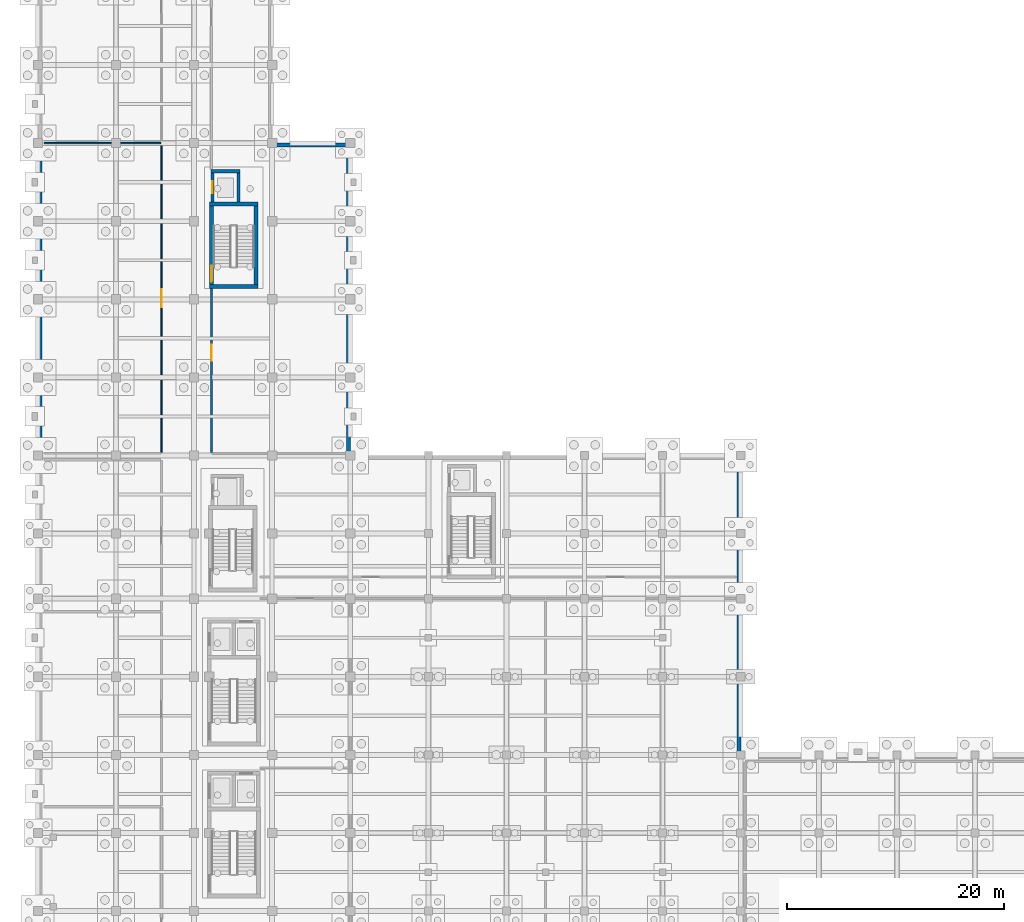
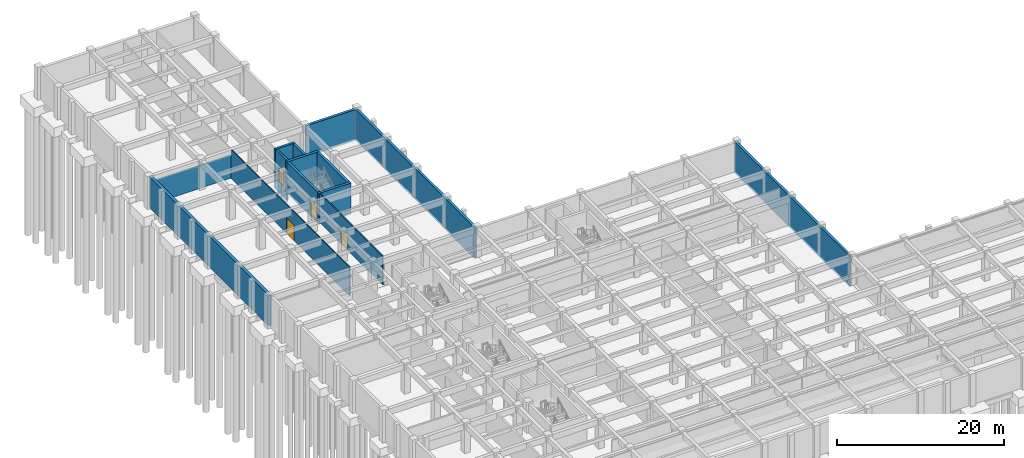
# One storey, part 18 of 28: 14 walls, 4 doors, 4 openings.
"""IFC4 building model written with IfcOpenShell, lengths in metres."""

from ifc_helpers import new_model, si_unit, direction, frame, frame_2d, origin, place, context, subcontext, project, spatial, rectangle, extrude, material, layer, layer_set, type_object, element, fill, save


model = new_model("IFC4")

# Units and contexts
model_context = context("Model", 3, precision=1e-05, world=origin(), true_north=direction((0.0, 1.0)))
body_context = subcontext(model_context, "Body", "Model", "MODEL_VIEW")
ifc_project = project(units=[si_unit("LENGTHUNIT", "METRE"), si_unit("AREAUNIT", "SQUARE_METRE"), si_unit("VOLUMEUNIT", "CUBIC_METRE"), si_unit("PLANEANGLEUNIT", "RADIAN"), si_unit("MASSUNIT", "GRAM", prefix="KILO")], contexts=[model_context])

# Site, building, storey
site_placement = place(None, origin())
site = spatial("IfcSite", under=ifc_project, at=site_placement, CompositionType="ELEMENT")
building_placement = place(site_placement, origin())
building = spatial("IfcBuilding", under=site, at=building_placement, Name="Alvorim Cloister Faculty of Sciences", CompositionType="ELEMENT")
storey_placement = place(building_placement, frame((0.0, 0.0, -4.5)))
storey = spatial("IfcBuildingStorey", under=building, at=storey_placement, Name="B01", CompositionType="ELEMENT", Elevation=-4.5)

# Wall, opening, door
ifc_material_1 = material(Name="Acoustic Gypsum Stud Partition", Category="gypsum")
ifc_layer_1 = layer(ifc_material_1, 0.1201171875)
ifc_layer_set_1 = layer_set([ifc_layer_1], Name="Acoustic Gypsum Stud Partition")
wall_type_1 = type_object("IfcWallType", Name="WL-PRT-120", PredefinedType="PARTITIONING", material=ifc_layer_set_1)
wall_1_placement = place(storey_placement, frame((11.39990234375, 56.679931640625, 0.0), z_axis=(0.0, 0.0, 1.0), x_axis=(0.0, 1.0, 0.0)))
wall_1 = element("IfcWall", 1, at=wall_1_placement, inside=storey, type_object=wall_type_1, Name="B01 Rare Science Compactus Archive Stack A Partition IWL-0448", PredefinedType="PARTITIONING", context=body_context, shape_type="SweptSolid", body=[
    extrude(rectangle(XDim=28.440185546875, YDim=0.1201171875, at=frame_2d((14.22021484375, 0.0))), origin(), (0.0, 0.0, 1.0), 4.22509765625),
])
opening_1_placement = place(wall_1_placement, frame((13.3701171875, 0.0, 0.0)))
opening_1 = element("IfcOpeningElement", 2, at=opening_1_placement, cuts=wall_1, Name="Opening D-B01-075", PredefinedType="OPENING", context=body_context, shape_type="SweptSolid", body=[
    extrude(rectangle(XDim=1.699951171875, YDim=2.280029296875, at=frame_2d((0.85009765625, 1.14013671875))), frame((0.0, 0.072021484375, 0.0), z_axis=(0.0, -1.0, 0.0), x_axis=(1.0, 0.0, 0.0)), (0.0, 0.0, 1.0), 0.14404296875),
])
ifc_material_2 = material(Name="Solid Acoustic Oak Timber", Category="wood")
door_type_1 = type_object("IfcDoorType", Name="DR-HALL-1700x2280", OperationType="NOTDEFINED", PredefinedType="DOOR", material=ifc_material_2)
door_1_placement = place(opening_1_placement, origin())
door_1 = element("IfcDoor", 3, at=door_1_placement, inside=storey, type_object=door_type_1, Name="Rare Science Compactus Archive Stack A Door D-B01-075", OperationType="DOUBLE_DOOR_SINGLE_SWING", OverallHeight=2.280029296875, OverallWidth=1.699951171875, PredefinedType="DOOR", context=body_context, shape_type="SweptSolid", body=[
    extrude(rectangle(XDim=1.699951171875, YDim=2.280029296875, at=frame_2d((0.85009765625, 1.14013671875))), frame((0.0, 0.02490234375, 0.0), z_axis=(0.0, -1.0, 0.0), x_axis=(1.0, 0.0, 0.0)), (0.0, 0.0, 1.0), 0.050048828125),
])
fill(opening_1, door_1)

# Wall
wall_2_placement = place(storey_placement, frame((0.580078125, 85.199951171875, 0.0), z_axis=(0.0, 0.0, 1.0), x_axis=(1.0, 0.0, 0.0)))
element("IfcWall", 4, at=wall_2_placement, inside=storey, type_object=wall_type_1, Name="B01 Rare Science Compactus Archive Stack A Partition IWL-0449", PredefinedType="PARTITIONING", context=body_context, shape_type="SweptSolid", body=[
    extrude(rectangle(XDim=10.739990234375, YDim=0.1201171875, at=frame_2d((5.3701171875, 0.0))), origin(), (0.0, 0.0, 1.0), 3.375),
])

# Wall, opening, door
ifc_material_3 = material(Name="Gypsum Fireboard Stud Partition", Category="gypsum")
ifc_layer_2 = layer(ifc_material_3, 0.14990234375)
ifc_layer_set_2 = layer_set([ifc_layer_2], Name="Gypsum Fireboard Stud Partition")
wall_type_2 = type_object("IfcWallType", Name="WL-PRT-150", PredefinedType="PARTITIONING", material=ifc_layer_set_2)
wall_3_placement = place(storey_placement, frame((16.0, 56.679931640625, 0.0), z_axis=(0.0, 0.0, 1.0), x_axis=(0.0, 1.0, 0.0)))
wall_3 = element("IfcWall", 5, at=wall_3_placement, inside=storey, type_object=wall_type_2, Name="B01 Digital Preservation and Microfilm Lab Partition IWL-0451", PredefinedType="PARTITIONING", context=body_context, shape_type="SweptSolid", body=[
    extrude(rectangle(XDim=15.10009765625, YDim=0.14990234375, at=frame_2d((7.550048828125, 0.0))), origin(), (0.0, 0.0, 1.0), 4.22509765625),
])
opening_2_placement = place(wall_3_placement, frame((8.445068359375, 0.0, 0.0)))
opening_2 = element("IfcOpeningElement", 6, at=opening_2_placement, cuts=wall_3, Name="Opening D-B01-077", PredefinedType="OPENING", context=body_context, shape_type="SweptSolid", body=[
    extrude(rectangle(XDim=1.5, YDim=2.199951171875, at=frame_2d((0.75, 1.10009765625))), frame((0.0, 0.0869140625, 0.0), z_axis=(0.0, -1.0, 0.0), x_axis=(1.0, 0.0, 0.0)), (0.0, 0.0, 1.0), 0.173828125),
])
ifc_material_4 = material(Name="Fire-Rated Laminate Timber", Category="wood")
door_type_2 = type_object("IfcDoorType", Name="DR-LAB-1500x2200", OperationType="NOTDEFINED", PredefinedType="DOOR", material=ifc_material_4)
door_2_placement = place(opening_2_placement, origin())
door_2 = element("IfcDoor", 7, at=door_2_placement, inside=storey, type_object=door_type_2, Name="Digital Preservation and Microfilm Lab Door D-B01-077", OperationType="DOUBLE_DOOR_SINGLE_SWING", OverallHeight=2.199951171875, OverallWidth=1.5, PredefinedType="DOOR", context=body_context, shape_type="SweptSolid", body=[
    extrude(rectangle(XDim=1.5, YDim=2.199951171875, at=frame_2d((0.75, 1.10009765625))), frame((0.0, 0.02490234375, 0.0), z_axis=(0.0, -1.0, 0.0), x_axis=(1.0, 0.0, 0.0)), (0.0, 0.0, 1.0), 0.050048828125),
])
fill(opening_2, door_2)

# Walls
ifc_material_5 = material(Name="Concrete C40", Category="concrete")
ifc_layer_3 = layer(ifc_material_5, 0.35009765625)
ifc_layer_set_3 = layer_set([ifc_layer_3], Name="Concrete C40")
wall_type_3 = type_object("IfcWallType", Name="WL-RET-350", PredefinedType="USERDEFINED", material=ifc_layer_set_3)
wall_4_placement = place(storey_placement, frame((21.60009765625, 85.02490234375, -0.300048828125), z_axis=(0.0, 0.0, 1.0), x_axis=(1.0, 0.0, 0.0)))
element("IfcWall", 8, at=wall_4_placement, inside=storey, type_object=wall_type_3, Name="B01 Perimeter Retaining Wall WL-RET-0012", ObjectType="RETAINING WALL", PredefinedType="USERDEFINED", context=body_context, shape_type="SweptSolid", body=[
    extrude(rectangle(XDim=7.199951171875, YDim=0.35009765625, at=frame_2d((3.60009765625, 0.0))), origin(), (0.0, 0.0, 1.0), 4.5400390625),
])
wall_5_placement = place(storey_placement, frame((28.625, 85.199951171875, -0.300048828125), z_axis=(0.0, 0.0, 1.0), x_axis=(0.0, -1.0, 0.0)))
element("IfcWall", 9, at=wall_5_placement, inside=storey, type_object=wall_type_3, Name="B01 Perimeter Retaining Wall WL-RET-0013", ObjectType="RETAINING WALL", PredefinedType="USERDEFINED", context=body_context, shape_type="SweptSolid", body=[
    extrude(rectangle(XDim=28.800048828125, YDim=0.35009765625, at=frame_2d((14.39990234375, 0.0))), origin(), (0.0, 0.0, 1.0), 4.5400390625),
])
wall_6_placement = place(storey_placement, frame((64.625, 56.39990234375, -0.300048828125), z_axis=(0.0, 0.0, 1.0), x_axis=(0.0, -1.0, 0.0)))
element("IfcWall", 10, at=wall_6_placement, inside=storey, type_object=wall_type_3, Name="B01 Perimeter Retaining Wall WL-RET-0015", ObjectType="RETAINING WALL", PredefinedType="USERDEFINED", context=body_context, shape_type="SweptSolid", body=[
    extrude(rectangle(XDim=27.599853515625, YDim=0.35009765625, at=frame_2d((13.7998046875, 0.0))), origin(), (0.0, 0.0, 1.0), 4.5400390625),
])
ifc_layer_4 = layer(ifc_material_5, 0.39990234375)
ifc_layer_set_4 = layer_set([ifc_layer_4], Name="Concrete C40")
wall_type_4 = type_object("IfcWallType", Name="WL-RET-400", PredefinedType="USERDEFINED", material=ifc_layer_set_4)
wall_7_placement = place(storey_placement, frame((0.199951171875, 56.39990234375, -0.300048828125), z_axis=(0.0, 0.0, 1.0), x_axis=(0.0, 1.0, 0.0)))
element("IfcWall", 11, at=wall_7_placement, inside=storey, type_object=wall_type_4, Name="B01 Perimeter Retaining Wall WL-RET-0008", ObjectType="RETAINING WALL", PredefinedType="USERDEFINED", context=body_context, shape_type="SweptSolid", body=[
    extrude(rectangle(XDim=28.800048828125, YDim=0.39990234375, at=frame_2d((14.39990234375, 0.0))), origin(), (0.0, 0.0, 1.0), 4.5400390625),
])
ifc_layer_5 = layer(ifc_material_5, 0.300048828125)
ifc_layer_set_5 = layer_set([ifc_layer_5], Name="Concrete C40")
wall_type_5 = type_object("IfcWallType", Name="WL-SHR-300", PredefinedType="SHEAR", material=ifc_layer_set_5)
wall_8_placement = place(storey_placement, frame((15.949951171875, 82.60009765625, -1.60009765625), z_axis=(0.0, 0.0, 1.0), x_axis=(1.0, 0.0, 0.0)))
element("IfcWall", 12, at=wall_8_placement, inside=storey, type_object=wall_type_5, Name="B01 Lift LP-05 Shaft Wall IWL-0362", PredefinedType="SHEAR", context=body_context, shape_type="SweptSolid", body=[
    extrude(rectangle(XDim=2.699951171875, YDim=0.300048828125, at=frame_2d((1.35009765625, 0.0))), origin(), (0.0, 0.0, 1.0), 5.840087890625),
])

# Wall, opening, door
wall_9_placement = place(storey_placement, frame((16.10009765625, 79.780029296875, -1.60009765625), z_axis=(0.0, 0.0, 1.0), x_axis=(0.0, 1.0, 0.0)))
wall_9 = element("IfcWall", 13, at=wall_9_placement, inside=storey, type_object=wall_type_5, Name="B01 Lift LP-05 Shaft Wall IWL-0363", PredefinedType="SHEAR", context=body_context, shape_type="SweptSolid", body=[
    extrude(rectangle(XDim=2.669921875, YDim=0.300048828125, at=frame_2d((1.3349609375, 0.0))), origin(), (0.0, 0.0, 1.0), 5.840087890625),
])
opening_3_placement = place(wall_9_placement, frame((0.784912109375, 0.0, 1.60009765625)))
opening_3 = element("IfcOpeningElement", 14, at=opening_3_placement, cuts=wall_9, Name="Opening LD-051", PredefinedType="OPENING", context=body_context, shape_type="SweptSolid", body=[
    extrude(rectangle(XDim=1.10009765625, YDim=2.199951171875, at=frame_2d((0.550048828125, 1.10009765625))), frame((0.0, 0.162109375, 0.0), z_axis=(0.0, -1.0, 0.0), x_axis=(1.0, 0.0, 0.0)), (0.0, 0.0, 1.0), 0.323974609375),
])
ifc_material_6 = material(Name="Brushed Stainless Steel", Category="steel")
door_type_3 = type_object("IfcDoorType", Name="DR-LFT-1100x2200", OperationType="NOTDEFINED", PredefinedType="DOOR", material=ifc_material_6)
door_3_placement = place(opening_3_placement, origin())
door_3 = element("IfcDoor", 15, at=door_3_placement, inside=storey, type_object=door_type_3, Name="B01 Lift LP-05 Sliding Landing Door LD-051", OperationType="DOUBLE_DOOR_SLIDING", OverallHeight=2.199951171875, OverallWidth=1.10009765625, PredefinedType="DOOR", context=body_context, shape_type="SweptSolid", body=[
    extrude(rectangle(XDim=1.10009765625, YDim=2.199951171875, at=frame_2d((0.550048828125, 1.10009765625))), frame((0.0, 0.02490234375, 0.0), z_axis=(0.0, -1.0, 0.0), x_axis=(1.0, 0.0, 0.0)), (0.0, 0.0, 1.0), 0.050048828125),
])
fill(opening_3, door_3)

# Walls
wall_10_placement = place(storey_placement, frame((18.5, 79.780029296875, -1.60009765625), z_axis=(0.0, 0.0, 1.0), x_axis=(0.0, 1.0, 0.0)))
element("IfcWall", 16, at=wall_10_placement, inside=storey, type_object=wall_type_5, Name="B01 Lift LP-05 Shaft Wall IWL-0364", PredefinedType="SHEAR", context=body_context, shape_type="SweptSolid", body=[
    extrude(rectangle(XDim=2.669921875, YDim=0.300048828125, at=frame_2d((1.3349609375, 0.0))), origin(), (0.0, 0.0, 1.0), 5.840087890625),
])
ifc_layer_6 = layer(ifc_material_5, 0.360107421875)
ifc_layer_set_6 = layer_set([ifc_layer_6], Name="Concrete C40")
wall_type_6 = type_object("IfcWallType", Name="WL-SHR-360", PredefinedType="SHEAR", material=ifc_layer_set_6)
for number, where, z_axis, x_axis, name in (
    (17, (15.820068359375, 72.0, -0.300048828125), (0.0, 0.0, 1.0), (1.0, 0.0, 0.0), "B01 CORE K5 Shear Wall IWL-0161"),
    (18, (15.820068359375, 79.60009765625, -0.300048828125), (0.0, 0.0, 1.0), (1.0, 0.0, 0.0), "B01 CORE K5 Shear Wall IWL-0162"),
):
    element("IfcWall", number, at=place(storey_placement, frame(where, z_axis=z_axis, x_axis=x_axis)), inside=storey, type_object=wall_type_6, Name=name, PredefinedType="SHEAR", context=body_context, shape_type="SweptSolid", body=[
        extrude(rectangle(XDim=4.47998046875, YDim=0.360107421875, at=frame_2d((2.239990234375, 0.0))), origin(), (0.0, 0.0, 1.0), 4.5400390625),
    ])

# Wall, opening, door
wall_11_placement = place(storey_placement, frame((16.0, 72.179931640625, -0.300048828125), z_axis=(0.0, 0.0, 1.0), x_axis=(0.0, 1.0, 0.0)))
wall_11 = element("IfcWall", 19, at=wall_11_placement, inside=storey, type_object=wall_type_6, Name="B01 CORE K5 Shear Wall IWL-0163", PredefinedType="SHEAR", context=body_context, shape_type="SweptSolid", body=[
    extrude(rectangle(XDim=7.239990234375, YDim=0.360107421875, at=frame_2d((3.6201171875, 0.0))), origin(), (0.0, 0.0, 1.0), 4.5400390625),
])
opening_4_placement = place(wall_11_placement, frame((0.219970703125, 0.0, 0.300048828125)))
opening_4 = element("IfcOpeningElement", 20, at=opening_4_placement, cuts=wall_11, Name="Opening SD-K5-B01", PredefinedType="OPENING", context=body_context, shape_type="SweptSolid", body=[
    extrude(rectangle(XDim=1.5, YDim=2.199951171875, at=frame_2d((0.75, 1.10009765625))), frame((0.0, 0.19189453125, 0.0), z_axis=(0.0, -1.0, 0.0), x_axis=(1.0, 0.0, 0.0)), (0.0, 0.0, 1.0), 0.384033203125),
])
ifc_material_7 = material(Name="Galvanised Fire-Rated Steel", Category="steel")
door_type_4 = type_object("IfcDoorType", Name="DR-STR-1500x2200", OperationType="NOTDEFINED", PredefinedType="DOOR", material=ifc_material_7)
door_4_placement = place(opening_4_placement, origin())
door_4 = element("IfcDoor", 21, at=door_4_placement, inside=storey, type_object=door_type_4, Name="B01 Stair ST-05 Fire Door SD-K5-B01", OperationType="DOUBLE_DOOR_SINGLE_SWING", OverallHeight=2.199951171875, OverallWidth=1.5, PredefinedType="DOOR", context=body_context, shape_type="SweptSolid", body=[
    extrude(rectangle(XDim=1.5, YDim=2.199951171875, at=frame_2d((0.75, 1.10009765625))), frame((0.0, 0.02490234375, 0.0), z_axis=(0.0, -1.0, 0.0), x_axis=(1.0, 0.0, 0.0)), (0.0, 0.0, 1.0), 0.050048828125),
])
fill(opening_4, door_4)

# Wall
wall_12_placement = place(storey_placement, frame((20.1201171875, 72.179931640625, -0.300048828125), z_axis=(0.0, 0.0, 1.0), x_axis=(0.0, 1.0, 0.0)))
element("IfcWall", 22, at=wall_12_placement, inside=storey, type_object=wall_type_6, Name="B01 CORE K5 Shear Wall IWL-0164", PredefinedType="SHEAR", context=body_context, shape_type="SweptSolid", body=[
    extrude(rectangle(XDim=7.239990234375, YDim=0.360107421875, at=frame_2d((3.6201171875, 0.0))), origin(), (0.0, 0.0, 1.0), 4.5400390625),
])

save(model, "model.ifc")
